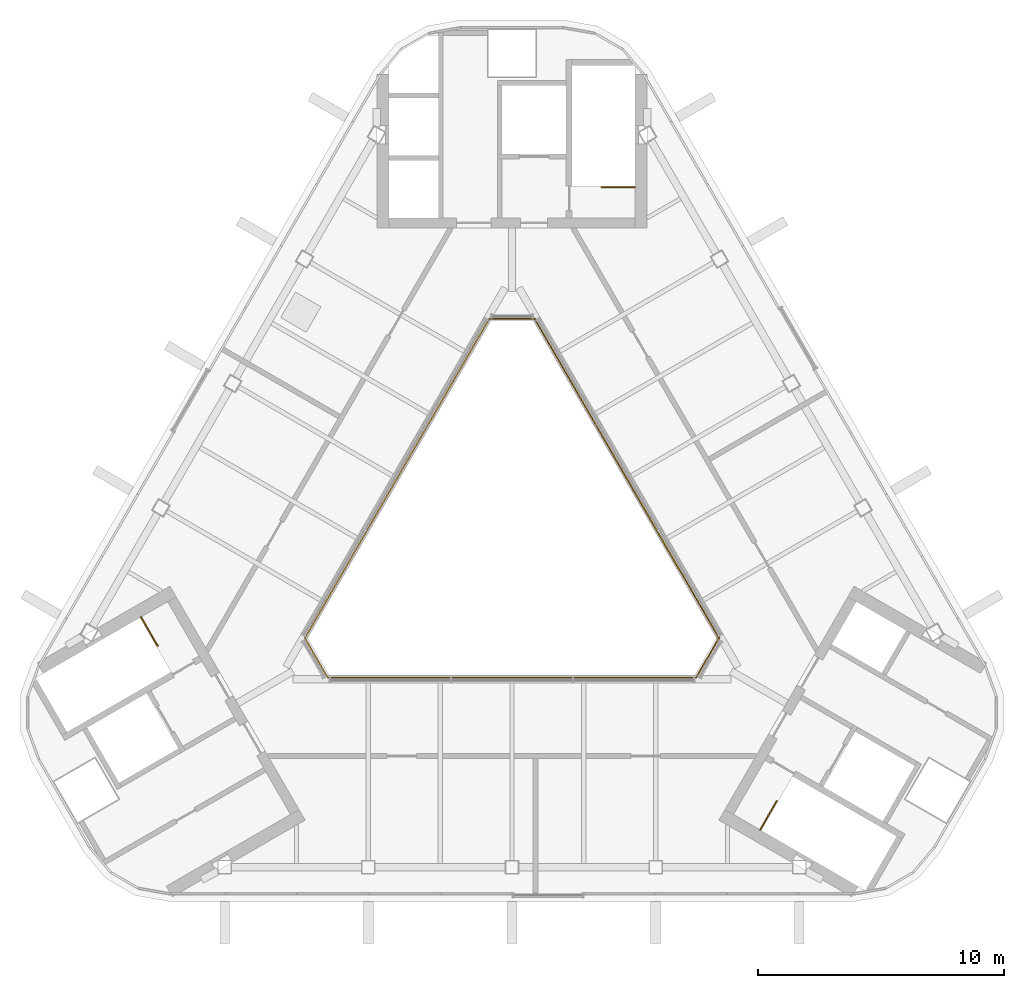
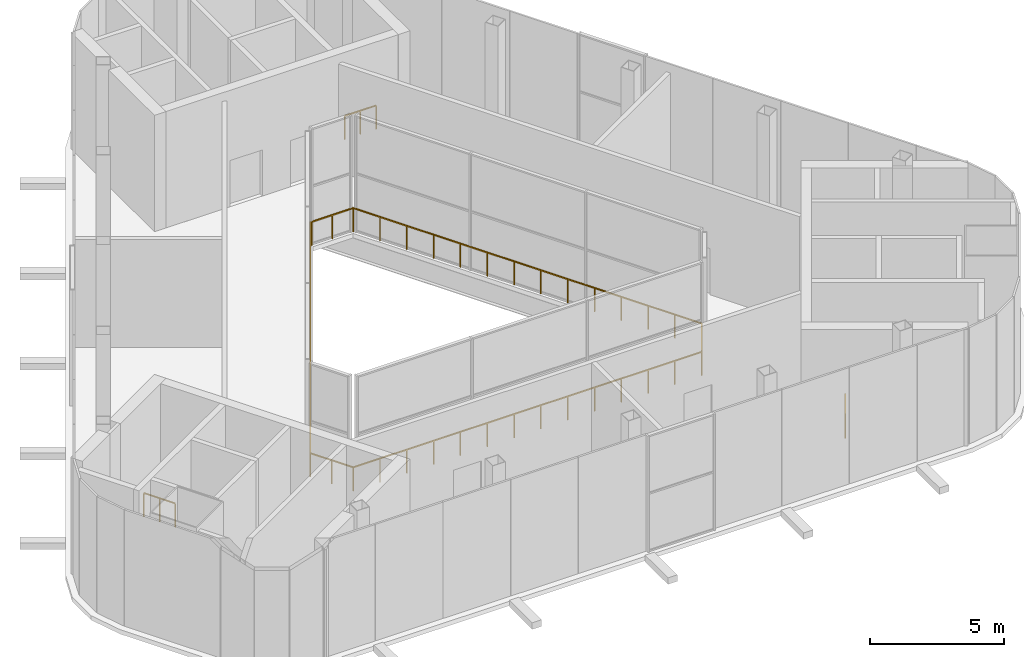
# One storey, part 8 of 9: 5 railings.
"""IFC4 building model written with IfcOpenShell, lengths in metres."""

from ifc_helpers import new_model, si_unit, direction, frame, origin, origin_2d, place, context, subcontext, project, spatial, rectangle, extrude, material, type_object, element, save


model = new_model("IFC4")

# Units and contexts
model_context = context("Model", 3, precision=1e-05, world=origin(), true_north=direction((0.0, 1.0)))
body_context = subcontext(model_context, "Body", "Model", "MODEL_VIEW")
ifc_project = project(units=[si_unit("LENGTHUNIT", "METRE"), si_unit("AREAUNIT", "SQUARE_METRE"), si_unit("VOLUMEUNIT", "CUBIC_METRE"), si_unit("PLANEANGLEUNIT", "RADIAN"), si_unit("MASSUNIT", "GRAM", prefix="KILO")], contexts=[model_context])

# Site, building, storey
site_placement = place(None, origin())
site = spatial("IfcSite", under=ifc_project, at=site_placement, CompositionType="ELEMENT")
building_placement = place(site_placement, origin())
building = spatial("IfcBuilding", under=site, at=building_placement, Name="Apuvela Tower Hotel", CompositionType="ELEMENT")
storey_placement = place(building_placement, frame((0.0, 0.0, 343.300048828125)))
storey = spatial("IfcBuildingStorey", under=building, at=storey_placement, Name="R-1 ROOF", CompositionType="ELEMENT", Elevation=343.300048828125)

# Railings
ifc_material_1 = material(Name="Steel S275 balustrade", Category="steel")
railing_type_1 = type_object("IfcRailingType", Name="COR-GUARD-1100", PredefinedType="GUARDRAIL", material=ifc_material_1)
railing_1_placement = place(storey_placement, frame((5.0, 14.550048828125, 0.0)))
element("IfcRailing", 1, at=railing_1_placement, inside=storey, type_object=railing_type_1, Name="R-1 ROOF ST1 top well guard 1", PredefinedType="GUARDRAIL", context=body_context, shape_type="SweptSolid", body=[
    extrude(rectangle(XDim=0.048095703125, YDim=0.048095703125, at=origin_2d()), frame((0.0, 0.0, 1.076171875), z_axis=(-1.0, 0.0, 0.0), x_axis=(0.0, -1.0, 0.0)), (0.0, 0.0, 1.0), 1.35009765625),
    extrude(rectangle(XDim=0.0419921875, YDim=0.0419921875, at=origin_2d()), origin(), (0.0, 0.0, 1.0), 1.052001953125),
    extrude(rectangle(XDim=0.0419921875, YDim=0.0419921875, at=origin_2d()), frame((-0.675048828125, 0.0, 0.0)), (0.0, 0.0, 1.0), 1.052001953125),
    extrude(rectangle(XDim=0.0419921875, YDim=0.0419921875, at=origin_2d()), frame((-1.35009765625, 0.0, 0.0)), (0.0, 0.0, 1.0), 1.052001953125),
])
railing_2_placement = place(storey_placement, frame((-15.1005859375, -2.94482421875, 0.0)))
element("IfcRailing", 2, at=railing_2_placement, inside=storey, type_object=railing_type_1, Name="R-1 ROOF ST2 top well guard 1", PredefinedType="GUARDRAIL", context=body_context, shape_type="SweptSolid", body=[
    extrude(rectangle(XDim=0.048095703125, YDim=0.048095703125, at=origin_2d()), frame((0.0, 0.0, 1.076171875), z_axis=(0.499873791142, -0.866098258242, 0.0), x_axis=(0.866098258242, 0.499873791142, 0.0)), (0.0, 0.0, 1.0), 1.349853515625),
    extrude(rectangle(XDim=0.0419921875, YDim=0.0419921875, at=origin_2d()), origin(), (0.0, 0.0, 1.0), 1.052001953125),
    extrude(rectangle(XDim=0.0419921875, YDim=0.0419921875, at=origin_2d()), frame((0.33740234375, -0.58447265625, 0.0)), (0.0, 0.0, 1.0), 1.052001953125),
    extrude(rectangle(XDim=0.0419921875, YDim=0.0419921875, at=origin_2d()), frame((0.6748046875, -1.169189453125, 0.0)), (0.0, 0.0, 1.0), 1.052001953125),
])
railing_3_placement = place(storey_placement, frame((10.1005859375, -11.605224609375, 0.0)))
element("IfcRailing", 3, at=railing_3_placement, inside=storey, type_object=railing_type_1, Name="R-1 ROOF ST3 top well guard 1", PredefinedType="GUARDRAIL", context=body_context, shape_type="SweptSolid", body=[
    extrude(rectangle(XDim=0.048095703125, YDim=0.048095703125, at=origin_2d()), frame((0.0, 0.0, 1.076171875), z_axis=(0.50000943426, 0.866019956843, 0.0), x_axis=(-0.866019956843, 0.50000943426, 0.0)), (0.0, 0.0, 1.0), 1.35009765625),
    extrude(rectangle(XDim=0.0419921875, YDim=0.0419921875, at=origin_2d()), origin(), (0.0, 0.0, 1.0), 1.052001953125),
    extrude(rectangle(XDim=0.0419921875, YDim=0.0419921875, at=origin_2d()), frame((0.33740234375, 0.58447265625, 0.0)), (0.0, 0.0, 1.0), 1.052001953125),
    extrude(rectangle(XDim=0.0419921875, YDim=0.0419921875, at=origin_2d()), frame((0.675048828125, 1.169189453125, 0.0)), (0.0, 0.0, 1.0), 1.052001953125),
])
ifc_material_2 = material(Name="Stainless steel 316 rail with laminated glass infill", Category="steel")
railing_type_2 = type_object("IfcRailingType", Name="ENV-GUARD-1100", PredefinedType="GUARDRAIL", material=ifc_material_2)
railing_4_placement = place(storey_placement, frame((-0.923828125, 9.199951171875, 0.0)))
element("IfcRailing", 4, at=railing_4_placement, inside=storey, type_object=railing_type_2, Name="Atrium void guard A R-1 ROOF", PredefinedType="GUARDRAIL", context=body_context, shape_type="SweptSolid", body=[
    extrude(rectangle(XDim=0.050048828125, YDim=0.050048828125, at=origin_2d()), frame((0.0, 0.0, 1.0751953125), z_axis=(-0.499990886379, -0.866030665472, 0.0), x_axis=(0.866030665472, -0.499990886379, 0.0)), (0.0, 0.0, 1.0), 15.010986328125),
    extrude(rectangle(XDim=0.050048828125, YDim=0.050048828125, at=origin_2d()), frame((-7.50537109375, -13.0, 1.0751953125), z_axis=(0.499962699187, -0.866046938348, 0.0), x_axis=(0.866046938348, 0.499962699187, 0.0)), (0.0, 0.0, 1.0), 1.847412109375),
    extrude(rectangle(XDim=0.050048828125, YDim=0.050048828125, at=origin_2d()), frame((-6.581787109375, -14.599853515625, 1.0751953125), z_axis=(1.0, 0.0, 0.0), x_axis=(0.0, 1.0, 0.0)), (0.0, 0.0, 1.0), 15.01123046875),
    extrude(rectangle(XDim=0.0400390625, YDim=0.0400390625, at=origin_2d()), origin(), (0.0, 0.0, 1.0), 1.050048828125),
    extrude(rectangle(XDim=0.0400390625, YDim=0.0400390625, at=origin_2d()), frame((-0.577392578125, -1.0, 0.0)), (0.0, 0.0, 1.0), 1.050048828125),
    extrude(rectangle(XDim=0.0400390625, YDim=0.0400390625, at=origin_2d()), frame((-1.15478515625, -2.0, 0.0)), (0.0, 0.0, 1.0), 1.050048828125),
    extrude(rectangle(XDim=0.0400390625, YDim=0.0400390625, at=origin_2d()), frame((-1.73193359375, -3.0, 0.0)), (0.0, 0.0, 1.0), 1.050048828125),
    extrude(rectangle(XDim=0.0400390625, YDim=0.0400390625, at=origin_2d()), frame((-2.309326171875, -4.0, 0.0)), (0.0, 0.0, 1.0), 1.050048828125),
    extrude(rectangle(XDim=0.0400390625, YDim=0.0400390625, at=origin_2d()), frame((-2.88671875, -5.0, 0.0)), (0.0, 0.0, 1.0), 1.050048828125),
    extrude(rectangle(XDim=0.0400390625, YDim=0.0400390625, at=origin_2d()), frame((-3.464111328125, -6.0, 0.0)), (0.0, 0.0, 1.0), 1.050048828125),
    extrude(rectangle(XDim=0.0400390625, YDim=0.0400390625, at=origin_2d()), frame((-4.041259765625, -7.0, 0.0)), (0.0, 0.0, 1.0), 1.050048828125),
    extrude(rectangle(XDim=0.0400390625, YDim=0.0400390625, at=origin_2d()), frame((-4.61865234375, -8.0, 0.0)), (0.0, 0.0, 1.0), 1.050048828125),
    extrude(rectangle(XDim=0.0400390625, YDim=0.0400390625, at=origin_2d()), frame((-5.196044921875, -9.0, 0.0)), (0.0, 0.0, 1.0), 1.050048828125),
    extrude(rectangle(XDim=0.0400390625, YDim=0.0400390625, at=origin_2d()), frame((-5.7734375, -10.0, 0.0)), (0.0, 0.0, 1.0), 1.050048828125),
    extrude(rectangle(XDim=0.0400390625, YDim=0.0400390625, at=origin_2d()), frame((-6.3505859375, -11.0, 0.0)), (0.0, 0.0, 1.0), 1.050048828125),
    extrude(rectangle(XDim=0.0400390625, YDim=0.0400390625, at=origin_2d()), frame((-6.927978515625, -12.0, 0.0)), (0.0, 0.0, 1.0), 1.050048828125),
    extrude(rectangle(XDim=0.0400390625, YDim=0.0400390625, at=origin_2d()), frame((-7.50537109375, -13.0, 0.0)), (0.0, 0.0, 1.0), 1.050048828125),
    extrude(rectangle(XDim=0.0400390625, YDim=0.0400390625, at=origin_2d()), frame((-7.04345703125, -13.7998046875, 0.0)), (0.0, 0.0, 1.0), 1.050048828125),
    extrude(rectangle(XDim=0.0400390625, YDim=0.0400390625, at=origin_2d()), frame((-6.581787109375, -14.599853515625, 0.0)), (0.0, 0.0, 1.0), 1.050048828125),
    extrude(rectangle(XDim=0.0400390625, YDim=0.0400390625, at=origin_2d()), frame((-5.427001953125, -14.599853515625, 0.0)), (0.0, 0.0, 1.0), 1.050048828125),
    extrude(rectangle(XDim=0.0400390625, YDim=0.0400390625, at=origin_2d()), frame((-4.2724609375, -14.599853515625, 0.0)), (0.0, 0.0, 1.0), 1.050048828125),
    extrude(rectangle(XDim=0.0400390625, YDim=0.0400390625, at=origin_2d()), frame((-3.11767578125, -14.599853515625, 0.0)), (0.0, 0.0, 1.0), 1.050048828125),
    extrude(rectangle(XDim=0.0400390625, YDim=0.0400390625, at=origin_2d()), frame((-1.962890625, -14.599853515625, 0.0)), (0.0, 0.0, 1.0), 1.050048828125),
    extrude(rectangle(XDim=0.0400390625, YDim=0.0400390625, at=origin_2d()), frame((-0.808349609375, -14.599853515625, 0.0)), (0.0, 0.0, 1.0), 1.050048828125),
    extrude(rectangle(XDim=0.0400390625, YDim=0.0400390625, at=origin_2d()), frame((0.346435546875, -14.599853515625, 0.0)), (0.0, 0.0, 1.0), 1.050048828125),
    extrude(rectangle(XDim=0.0400390625, YDim=0.0400390625, at=origin_2d()), frame((1.501220703125, -14.599853515625, 0.0)), (0.0, 0.0, 1.0), 1.050048828125),
    extrude(rectangle(XDim=0.0400390625, YDim=0.0400390625, at=origin_2d()), frame((2.656005859375, -14.599853515625, 0.0)), (0.0, 0.0, 1.0), 1.050048828125),
    extrude(rectangle(XDim=0.0400390625, YDim=0.0400390625, at=origin_2d()), frame((3.810546875, -14.599853515625, 0.0)), (0.0, 0.0, 1.0), 1.050048828125),
    extrude(rectangle(XDim=0.0400390625, YDim=0.0400390625, at=origin_2d()), frame((4.96533203125, -14.599853515625, 0.0)), (0.0, 0.0, 1.0), 1.050048828125),
    extrude(rectangle(XDim=0.0400390625, YDim=0.0400390625, at=origin_2d()), frame((6.1201171875, -14.599853515625, 0.0)), (0.0, 0.0, 1.0), 1.050048828125),
    extrude(rectangle(XDim=0.0400390625, YDim=0.0400390625, at=origin_2d()), frame((7.274658203125, -14.599853515625, 0.0)), (0.0, 0.0, 1.0), 1.050048828125),
    extrude(rectangle(XDim=0.0400390625, YDim=0.0400390625, at=origin_2d()), frame((8.429443359375, -14.599853515625, 0.0)), (0.0, 0.0, 1.0), 1.050048828125),
])
railing_5_placement = place(storey_placement, frame((7.53564453125, -5.347900390625, 0.0)))
element("IfcRailing", 5, at=railing_5_placement, inside=storey, type_object=railing_type_2, Name="Atrium void guard B R-1 ROOF", PredefinedType="GUARDRAIL", context=body_context, shape_type="SweptSolid", body=[
    extrude(rectangle(XDim=0.050048828125, YDim=0.050048828125, at=origin_2d()), frame((0.0, 0.0, 1.0751953125), z_axis=(0.499958946799, 0.866049104564, 0.0), x_axis=(-0.866049104564, 0.499958946799, 0.0)), (0.0, 0.0, 1.0), 1.787353515625),
    extrude(rectangle(XDim=0.050048828125, YDim=0.050048828125, at=origin_2d()), frame((0.8935546875, 1.5478515625, 1.0751953125), z_axis=(-0.499990886379, 0.866030665472, 0.0), x_axis=(-0.866030665472, -0.499990886379, 0.0)), (0.0, 0.0, 1.0), 15.010986328125),
    extrude(rectangle(XDim=0.050048828125, YDim=0.050048828125, at=origin_2d()), frame((-6.61181640625, 14.5478515625, 1.0751953125), z_axis=(-1.0, 0.0, 0.0), x_axis=(0.0, -1.0, 0.0)), (0.0, 0.0, 1.0), 1.78759765625),
    extrude(rectangle(XDim=0.0400390625, YDim=0.0400390625, at=origin_2d()), origin(), (0.0, 0.0, 1.0), 1.050048828125),
    extrude(rectangle(XDim=0.0400390625, YDim=0.0400390625, at=origin_2d()), frame((0.44677734375, 0.77392578125, 0.0)), (0.0, 0.0, 1.0), 1.050048828125),
    extrude(rectangle(XDim=0.0400390625, YDim=0.0400390625, at=origin_2d()), frame((0.8935546875, 1.5478515625, 0.0)), (0.0, 0.0, 1.0), 1.050048828125),
    extrude(rectangle(XDim=0.0400390625, YDim=0.0400390625, at=origin_2d()), frame((0.316162109375, 2.5478515625, 0.0)), (0.0, 0.0, 1.0), 1.050048828125),
    extrude(rectangle(XDim=0.0400390625, YDim=0.0400390625, at=origin_2d()), frame((-0.26123046875, 3.5478515625, 0.0)), (0.0, 0.0, 1.0), 1.050048828125),
    extrude(rectangle(XDim=0.0400390625, YDim=0.0400390625, at=origin_2d()), frame((-0.83837890625, 4.5478515625, 0.0)), (0.0, 0.0, 1.0), 1.050048828125),
    extrude(rectangle(XDim=0.0400390625, YDim=0.0400390625, at=origin_2d()), frame((-1.415771484375, 5.5478515625, 0.0)), (0.0, 0.0, 1.0), 1.050048828125),
    extrude(rectangle(XDim=0.0400390625, YDim=0.0400390625, at=origin_2d()), frame((-1.9931640625, 6.5478515625, 0.0)), (0.0, 0.0, 1.0), 1.050048828125),
    extrude(rectangle(XDim=0.0400390625, YDim=0.0400390625, at=origin_2d()), frame((-2.570556640625, 7.5478515625, 0.0)), (0.0, 0.0, 1.0), 1.050048828125),
    extrude(rectangle(XDim=0.0400390625, YDim=0.0400390625, at=origin_2d()), frame((-3.147705078125, 8.5478515625, 0.0)), (0.0, 0.0, 1.0), 1.050048828125),
    extrude(rectangle(XDim=0.0400390625, YDim=0.0400390625, at=origin_2d()), frame((-3.72509765625, 9.5478515625, 0.0)), (0.0, 0.0, 1.0), 1.050048828125),
    extrude(rectangle(XDim=0.0400390625, YDim=0.0400390625, at=origin_2d()), frame((-4.302490234375, 10.5478515625, 0.0)), (0.0, 0.0, 1.0), 1.050048828125),
    extrude(rectangle(XDim=0.0400390625, YDim=0.0400390625, at=origin_2d()), frame((-4.8798828125, 11.5478515625, 0.0)), (0.0, 0.0, 1.0), 1.050048828125),
    extrude(rectangle(XDim=0.0400390625, YDim=0.0400390625, at=origin_2d()), frame((-5.45703125, 12.5478515625, 0.0)), (0.0, 0.0, 1.0), 1.050048828125),
    extrude(rectangle(XDim=0.0400390625, YDim=0.0400390625, at=origin_2d()), frame((-6.034423828125, 13.5478515625, 0.0)), (0.0, 0.0, 1.0), 1.050048828125),
    extrude(rectangle(XDim=0.0400390625, YDim=0.0400390625, at=origin_2d()), frame((-6.61181640625, 14.5478515625, 0.0)), (0.0, 0.0, 1.0), 1.050048828125),
    extrude(rectangle(XDim=0.0400390625, YDim=0.0400390625, at=origin_2d()), frame((-7.505615234375, 14.5478515625, 0.0)), (0.0, 0.0, 1.0), 1.050048828125),
    extrude(rectangle(XDim=0.0400390625, YDim=0.0400390625, at=origin_2d()), frame((-8.3994140625, 14.5478515625, 0.0)), (0.0, 0.0, 1.0), 1.050048828125),
])

save(model, "model.ifc")
